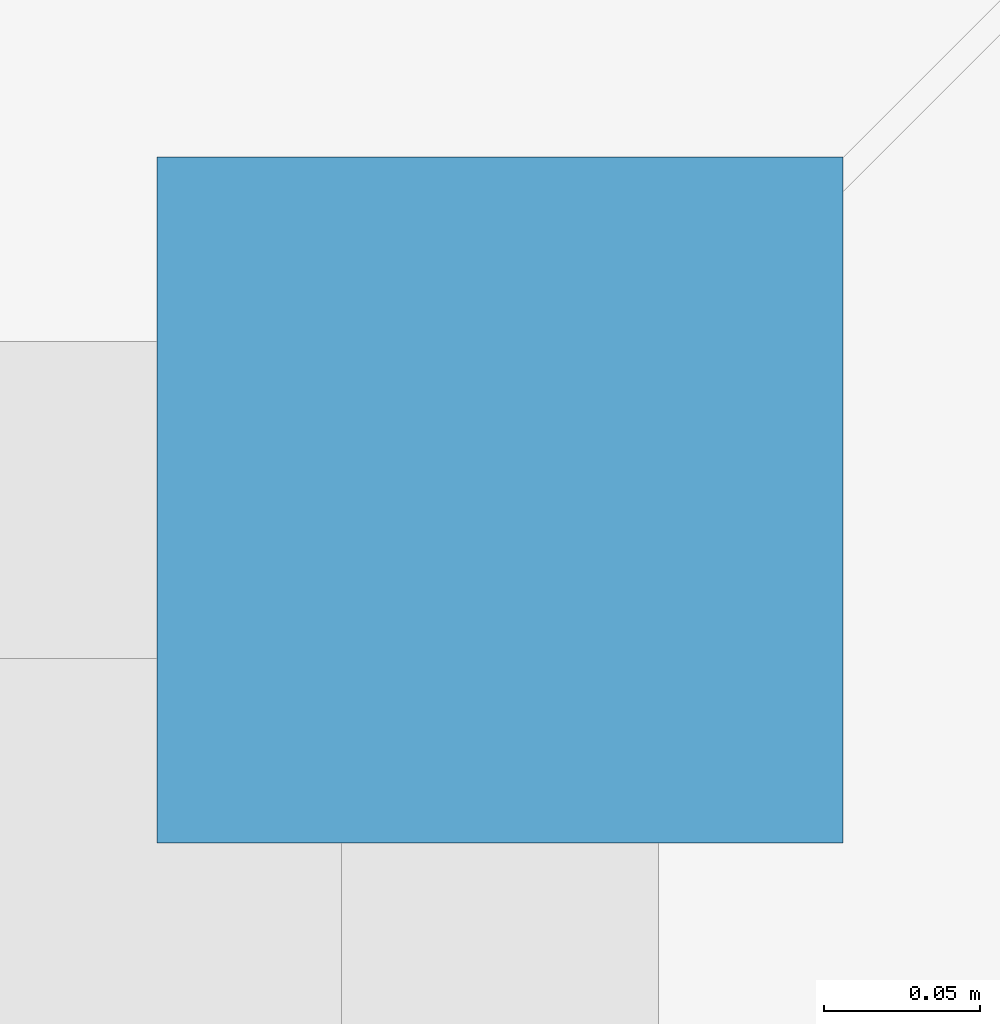
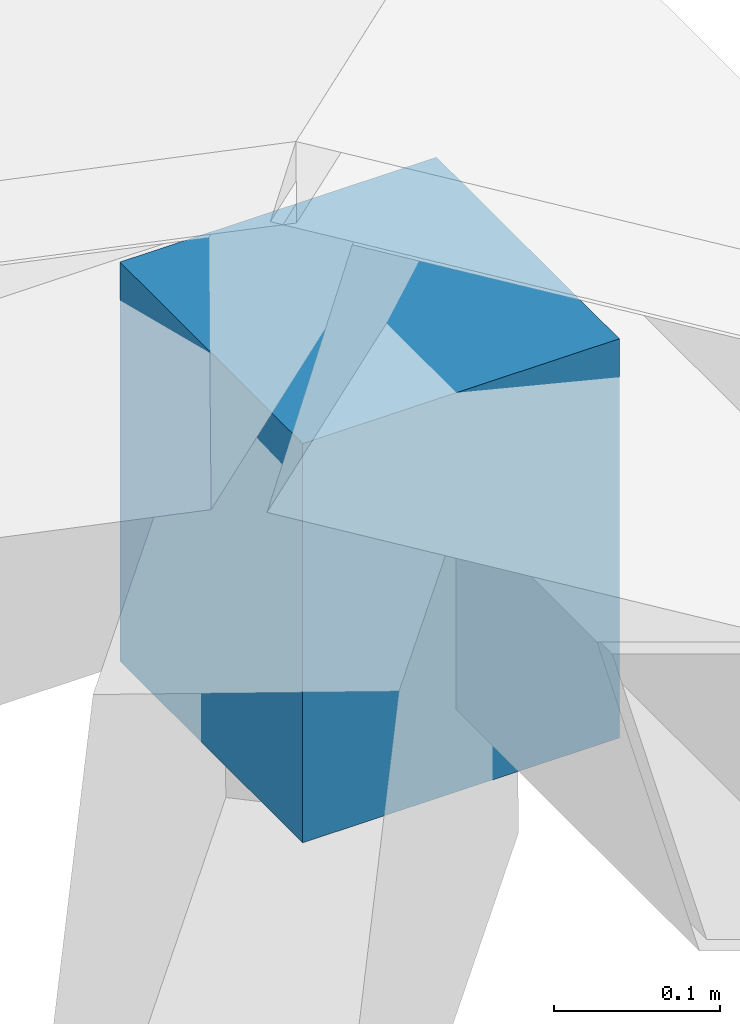
# One storey, part 90 of 100: 1 discrete accessory.
"""IFC4 building model written with IfcOpenShell, lengths in metres."""

from ifc_helpers import new_model, si_unit, direction, frame, origin, origin_2d, place, context, subcontext, project, spatial, rectangle, extrude, material, type_object, element, save


model = new_model("IFC4")

# Units and contexts
model_context = context("Model", 3, precision=1e-05, world=origin(), true_north=direction((0.0, 1.0)))
body_context = subcontext(model_context, "Body", "Model", "MODEL_VIEW")
ifc_project = project(units=[si_unit("LENGTHUNIT", "METRE"), si_unit("AREAUNIT", "SQUARE_METRE"), si_unit("VOLUMEUNIT", "CUBIC_METRE"), si_unit("PLANEANGLEUNIT", "RADIAN"), si_unit("MASSUNIT", "GRAM", prefix="KILO")], contexts=[model_context])

# Site, building, storey
site_placement = place(None, origin())
site = spatial("IfcSite", under=ifc_project, at=site_placement, CompositionType="ELEMENT")
building_placement = place(site_placement, origin())
building = spatial("IfcBuilding", under=site, at=building_placement, Name="Steenspoor Specialist Clinic", CompositionType="ELEMENT")
storey_placement = place(building_placement, frame((0.0, 0.0, 9.0)))
storey = spatial("IfcBuildingStorey", under=building, at=storey_placement, Name="L02", CompositionType="ELEMENT", Elevation=9.0)

# Discrete accessory
ifc_material = material(Name="Galvanised steel mounting bracket", Category="steel")
discrete_accessory_type = type_object("IfcDiscreteAccessoryType", Name="ACC-BRACKET-FIN", PredefinedType="BRACKET", material=ifc_material)
discrete_accessory_placement = place(storey_placement, frame((164.14990234375, 97.25, -0.39794921875), z_axis=(0.0, 0.0, 1.0), x_axis=(1.0, 0.0, 0.0)))
element("IfcDiscreteAccessory", 1, at=discrete_accessory_placement, inside=storey, type_object=discrete_accessory_type, Name="Eave Corner Hip Bracket 320", PredefinedType="BRACKET", context=body_context, shape_type="SweptSolid", body=[
    extrude(rectangle(XDim=0.219970703125, YDim=0.219970703125, at=origin_2d()), origin(), (0.0, 0.0, 1.0), 0.293212890625),
])

save(model, "model.ifc")
